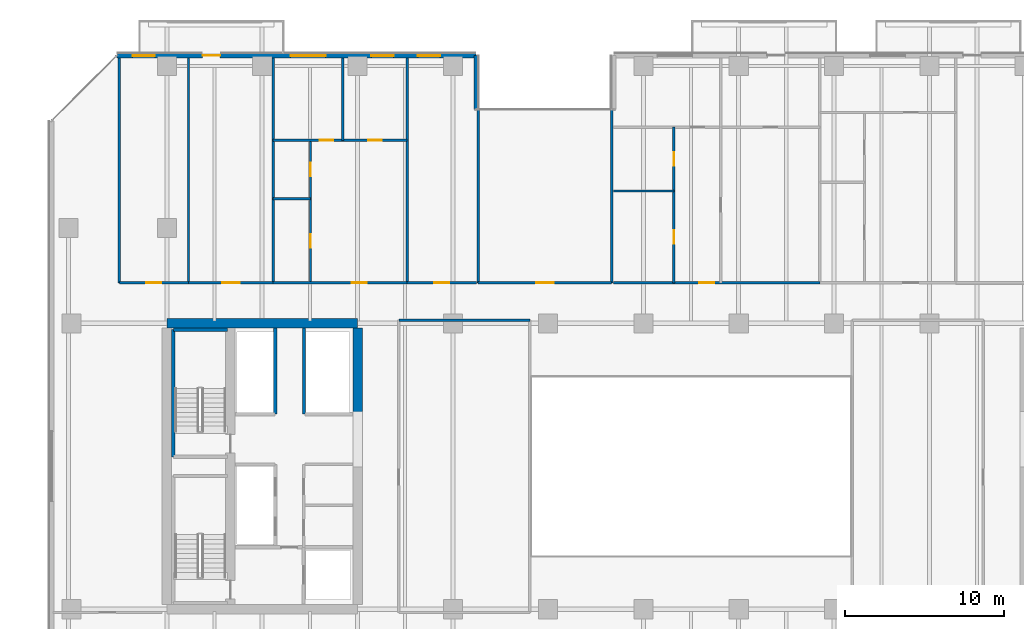
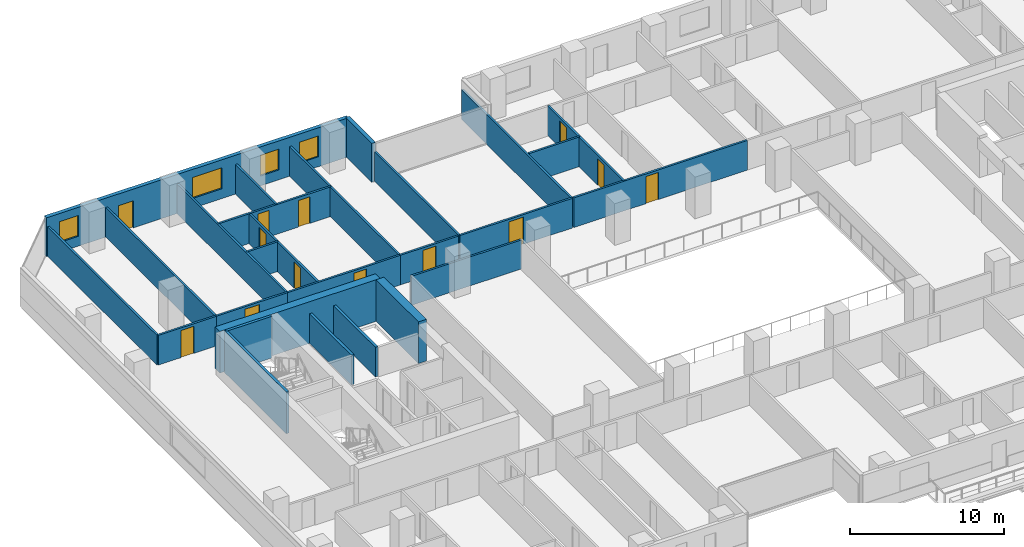
# One storey, part 20 of 33: 27 walls, 13 doors, 4 windows, 17 openings.
"""IFC4 building model written with IfcOpenShell, lengths in metres."""

from ifc_helpers import new_model, si_unit, direction, frame, frame_2d, origin, place, context, subcontext, project, spatial, rectangle, extrude, material, layer, layer_set, type_object, element, fill, save


model = new_model("IFC4")

# Units and contexts
model_context = context("Model", 3, precision=1e-05, world=origin(), true_north=direction((0.0, 1.0)))
body_context = subcontext(model_context, "Body", "Model", "MODEL_VIEW")
ifc_project = project(units=[si_unit("LENGTHUNIT", "METRE"), si_unit("AREAUNIT", "SQUARE_METRE"), si_unit("VOLUMEUNIT", "CUBIC_METRE"), si_unit("PLANEANGLEUNIT", "RADIAN"), si_unit("MASSUNIT", "GRAM", prefix="KILO")], contexts=[model_context])

# Site, building, storey
site_placement = place(None, origin())
site = spatial("IfcSite", under=ifc_project, at=site_placement, CompositionType="ELEMENT")
building_placement = place(site_placement, origin())
building = spatial("IfcBuilding", under=site, at=building_placement, Name="Tanjung Sevakor Pilgrim Tower", CompositionType="ELEMENT")
storey_placement = place(building_placement, frame((0.0, 0.0, 32.340087890625)))
storey = spatial("IfcBuildingStorey", under=building, at=storey_placement, Name="L08", CompositionType="ELEMENT", Elevation=32.340087890625)

# Walls
ifc_material_1 = material(Name="Concrete C60/75", Category="concrete")
ifc_layer_1 = layer(ifc_material_1, 0.60009765625)
ifc_layer_set_1 = layer_set([ifc_layer_1], Name="WALL-CW-600")
wall_type_1 = type_object("IfcWallType", Name="WALL-CW-600", PredefinedType="SHEAR", material=ifc_layer_set_1)
wall_1_placement = place(storey_placement, frame((36.0, 42.60009765625, 0.0), z_axis=(0.0, 0.0, 1.0), x_axis=(-1.0, 0.0, 0.0)))
element("IfcWall", 1, at=wall_1_placement, inside=storey, type_object=wall_type_1, Name="L08 W Core North Shear Wall", PredefinedType="SHEAR", context=body_context, shape_type="SweptSolid", body=[
    extrude(rectangle(XDim=12.0, YDim=0.60009765625, at=frame_2d((6.0, 0.0))), origin(), (0.0, 0.0, 1.0), 3.2998046875),
])
wall_2_placement = place(storey_placement, frame((36.0, 36.800048828125, 0.0), z_axis=(0.0, 0.0, 1.0), x_axis=(0.0, 1.0, 0.0)))
element("IfcWall", 2, at=wall_2_placement, inside=storey, type_object=wall_type_1, Name="L08 W Core Inner Shear Wall North", PredefinedType="SHEAR", context=body_context, shape_type="SweptSolid", body=[
    extrude(rectangle(XDim=5.5, YDim=0.60009765625, at=frame_2d((2.75, 0.0))), origin(), (0.0, 0.0, 1.0), 3.2998046875),
])
ifc_material_2 = material(Name="Concrete C40/50", Category="concrete")
ifc_layer_2 = layer(ifc_material_2, 0.14990234375)
ifc_layer_set_2 = layer_set([ifc_layer_2], Name="WT-COMP-150")
wall_type_2 = type_object("IfcWallType", Name="WT-COMP-150", PredefinedType="SOLIDWALL", material=ifc_layer_set_2)
wall_3_placement = place(storey_placement, frame((38.60009765625, 42.800048828125, 0.0), z_axis=(0.0, 0.0, 1.0), x_axis=(1.0, 0.0, 0.0)))
element("IfcWall", 3, at=wall_3_placement, inside=storey, type_object=wall_type_2, Name="L08 Partition IW-L08-024", PredefinedType="SOLIDWALL", context=body_context, shape_type="SweptSolid", body=[
    extrude(rectangle(XDim=8.25, YDim=0.14990234375, at=frame_2d((4.125, 0.0))), origin(), (0.0, 0.0, 1.0), 2.295166015625),
])

# Wall, opening, door
wall_4_placement = place(storey_placement, frame((43.60009765625, 45.14990234375, 0.0), z_axis=(0.0, 0.0, 1.0), x_axis=(1.0, 0.0, 0.0)))
wall_4 = element("IfcWall", 4, at=wall_4_placement, inside=storey, type_object=wall_type_2, Name="L08 Partition IW-L08-041", PredefinedType="SOLIDWALL", context=body_context, shape_type="SweptSolid", body=[
    extrude(rectangle(XDim=8.39990234375, YDim=0.14990234375, at=frame_2d((4.199951171875, 0.0))), origin(), (0.0, 0.0, 1.0), 2.35009765625),
])
opening_1_placement = place(wall_4_placement, frame((3.64990234375, 0.0, 0.0)))
opening_1 = element("IfcOpeningElement", 5, at=opening_1_placement, cuts=wall_4, Name="Opening ID-RM2", PredefinedType="OPENING", context=body_context, shape_type="SweptSolid", body=[
    extrude(rectangle(XDim=1.10009765625, YDim=2.14990234375, at=frame_2d((0.550048828125, 1.074951171875))), frame((0.0, 0.0849609375, 0.0), z_axis=(0.0, -1.0, 0.0), x_axis=(1.0, 0.0, 0.0)), (0.0, 0.0, 1.0), 0.169921875),
])
ifc_material_3 = material(Name="Hardwood Timber", Category="wood")
door_type_1 = type_object("IfcDoorType", Name="DT-INT-1100", OperationType="NOTDEFINED", PredefinedType="DOOR", material=ifc_material_3)
door_1_placement = place(opening_1_placement, origin())
door_1 = element("IfcDoor", 6, at=door_1_placement, inside=storey, type_object=door_type_1, Name="L08 North Cleft Reading Room Door", OperationType="SINGLE_SWING_LEFT", OverallHeight=2.14990234375, OverallWidth=1.10009765625, PredefinedType="DOOR", context=body_context, shape_type="SweptSolid", body=[
    extrude(rectangle(XDim=1.10009765625, YDim=2.14990234375, at=frame_2d((0.550048828125, 1.074951171875))), frame((0.0, 0.02490234375, 0.0), z_axis=(0.0, -1.0, 0.0), x_axis=(1.0, 0.0, 0.0)), (0.0, 0.0, 1.0), 0.050048828125),
])
fill(opening_1, door_1)

# Walls
for number, where, z_axis, x_axis, name in (
    (7, (43.60009765625, 45.14990234375, 0.0), (0.0, 0.0, 1.0), (0.0, 1.0, 0.0), "L08 Partition IW-L08-042"),
    (8, (52.0, 45.14990234375, 0.0), (0.0, 0.0, 1.0), (0.0, 1.0, 0.0), "L08 Partition IW-L08-043"),
    (9, (21.0, 45.14990234375, 0.0), (0.0, 0.0, 1.0), (0.0, 1.0, 0.0), "L08 Partition IW-L08-079"),
    (10, (25.35888671875, 45.14990234375, 0.0), (0.0, 0.0, 1.0), (0.0, 1.0, 0.0), "L08 Partition IW-L08-080"),
):
    element("IfcWall", number, at=place(storey_placement, frame(where, z_axis=z_axis, x_axis=x_axis)), inside=storey, type_object=wall_type_2, Name=name, PredefinedType="SOLIDWALL", context=body_context, shape_type="SweptSolid", body=[
        extrude(rectangle(XDim=14.170166015625, YDim=0.14990234375, at=frame_2d((7.0849609375, 0.0))), origin(), (0.0, 0.0, 1.0), 2.35009765625),
    ])

# Wall, opening, door
wall_5_placement = place(storey_placement, frame((21.0, 45.14990234375, 0.0), z_axis=(0.0, 0.0, 1.0), x_axis=(1.0, 0.0, 0.0)))
wall_5 = element("IfcWall", 11, at=wall_5_placement, inside=storey, type_object=wall_type_2, Name="L08 Partition IW-L08-081", PredefinedType="SOLIDWALL", context=body_context, shape_type="SweptSolid", body=[
    extrude(rectangle(XDim=4.35888671875, YDim=0.14990234375, at=frame_2d((2.179443359375, 0.0))), origin(), (0.0, 0.0, 1.0), 2.35009765625),
])
opening_2_placement = place(wall_5_placement, frame((1.704345703125, 0.0, 0.0)))
opening_2 = element("IfcOpeningElement", 12, at=opening_2_placement, cuts=wall_5, Name="Opening ID-FD2", PredefinedType="OPENING", context=body_context, shape_type="SweptSolid", body=[
    extrude(rectangle(XDim=0.949951171875, YDim=2.14990234375, at=frame_2d((0.47509765625, 1.074951171875))), frame((0.0, 0.0849609375, 0.0), z_axis=(0.0, -1.0, 0.0), x_axis=(1.0, 0.0, 0.0)), (0.0, 0.0, 1.0), 0.169921875),
])
ifc_material_4 = material(Name="Fire-Rated Timber", Category="wood")
door_type_2 = type_object("IfcDoorType", Name="DT-FIRE-950", OperationType="NOTDEFINED", PredefinedType="DOOR", material=ifc_material_4)
door_2_placement = place(opening_2_placement, origin())
door_2 = element("IfcDoor", 13, at=door_2_placement, inside=storey, type_object=door_type_2, Name="Study Room Entrance", OperationType="SINGLE_SWING_LEFT", OverallHeight=2.14990234375, OverallWidth=0.949951171875, PredefinedType="DOOR", context=body_context, shape_type="SweptSolid", body=[
    extrude(rectangle(XDim=0.949951171875, YDim=2.14990234375, at=frame_2d((0.47509765625, 1.074951171875))), frame((0.0, 0.02490234375, 0.0), z_axis=(0.0, -1.0, 0.0), x_axis=(1.0, 0.0, 0.0)), (0.0, 0.0, 1.0), 0.050048828125),
])
fill(opening_2, door_2)

# Wall
wall_6_placement = place(storey_placement, frame((30.686279296875, 45.14990234375, 0.0), z_axis=(0.0, 0.0, 1.0), x_axis=(0.0, 1.0, 0.0)))
element("IfcWall", 14, at=wall_6_placement, inside=storey, type_object=wall_type_2, Name="L08 Partition IW-L08-082", PredefinedType="SOLIDWALL", context=body_context, shape_type="SweptSolid", body=[
    extrude(rectangle(XDim=14.170166015625, YDim=0.14990234375, at=frame_2d((7.0849609375, 0.0))), origin(), (0.0, 0.0, 1.0), 2.35009765625),
])

# Wall, opening, door
wall_7_placement = place(storey_placement, frame((25.35888671875, 45.14990234375, 0.0), z_axis=(0.0, 0.0, 1.0), x_axis=(1.0, 0.0, 0.0)))
wall_7 = element("IfcWall", 15, at=wall_7_placement, inside=storey, type_object=wall_type_2, Name="L08 Partition IW-L08-083", PredefinedType="SOLIDWALL", context=body_context, shape_type="SweptSolid", body=[
    extrude(rectangle(XDim=5.327392578125, YDim=0.14990234375, at=frame_2d((2.66357421875, 0.0))), origin(), (0.0, 0.0, 1.0), 2.35009765625),
])
opening_3_placement = place(wall_7_placement, frame((2.11376953125, 0.0, 0.0)))
opening_3 = element("IfcOpeningElement", 16, at=opening_3_placement, cuts=wall_7, Name="Opening ID-FD0", PredefinedType="OPENING", context=body_context, shape_type="SweptSolid", body=[
    extrude(rectangle(XDim=1.10009765625, YDim=2.14990234375, at=frame_2d((0.550048828125, 1.074951171875))), frame((0.0, 0.0849609375, 0.0), z_axis=(0.0, -1.0, 0.0), x_axis=(1.0, 0.0, 0.0)), (0.0, 0.0, 1.0), 0.169921875),
])
ifc_material_5 = material(Name="Fire-Rated Steel S355J2", Category="steel")
door_type_3 = type_object("IfcDoorType", Name="DT-FIRE-1100", OperationType="NOTDEFINED", PredefinedType="DOOR", material=ifc_material_5)
door_3_placement = place(opening_3_placement, origin())
door_3 = element("IfcDoor", 17, at=door_3_placement, inside=storey, type_object=door_type_3, Name="Seminar Room Door", OperationType="SINGLE_SWING_RIGHT", OverallHeight=2.14990234375, OverallWidth=1.10009765625, PredefinedType="DOOR", context=body_context, shape_type="SweptSolid", body=[
    extrude(rectangle(XDim=1.10009765625, YDim=2.14990234375, at=frame_2d((0.550048828125, 1.074951171875))), frame((0.0, 0.02490234375, 0.0), z_axis=(0.0, -1.0, 0.0), x_axis=(1.0, 0.0, 0.0)), (0.0, 0.0, 1.0), 0.050048828125),
])
fill(opening_3, door_3)

# Wall
wall_8_placement = place(storey_placement, frame((39.12109375, 45.14990234375, 0.0), z_axis=(0.0, 0.0, 1.0), x_axis=(0.0, 1.0, 0.0)))
element("IfcWall", 18, at=wall_8_placement, inside=storey, type_object=wall_type_2, Name="L08 Partition IW-L08-084", PredefinedType="SOLIDWALL", context=body_context, shape_type="SweptSolid", body=[
    extrude(rectangle(XDim=14.170166015625, YDim=0.14990234375, at=frame_2d((7.0849609375, 0.0))), origin(), (0.0, 0.0, 1.0), 2.35009765625),
])

# Wall, opening, door
wall_9_placement = place(storey_placement, frame((30.686279296875, 45.14990234375, 0.0), z_axis=(0.0, 0.0, 1.0), x_axis=(1.0, 0.0, 0.0)))
wall_9 = element("IfcWall", 19, at=wall_9_placement, inside=storey, type_object=wall_type_2, Name="L08 Partition IW-L08-089", PredefinedType="SOLIDWALL", context=body_context, shape_type="SweptSolid", body=[
    extrude(rectangle(XDim=8.434814453125, YDim=0.14990234375, at=frame_2d((4.21728515625, 0.0))), origin(), (0.0, 0.0, 1.0), 2.35009765625),
])
opening_4_placement = place(wall_9_placement, frame((4.95751953125, 0.0, 0.0)))
opening_4 = element("IfcOpeningElement", 20, at=opening_4_placement, cuts=wall_9, Name="Opening ID-FD2", PredefinedType="OPENING", context=body_context, shape_type="SweptSolid", body=[
    extrude(rectangle(XDim=0.949951171875, YDim=2.14990234375, at=frame_2d((0.47509765625, 1.074951171875))), frame((0.0, 0.0849609375, 0.0), z_axis=(0.0, -1.0, 0.0), x_axis=(1.0, 0.0, 0.0)), (0.0, 0.0, 1.0), 0.169921875),
])
door_4_placement = place(opening_4_placement, origin())
door_4 = element("IfcDoor", 21, at=door_4_placement, inside=storey, type_object=door_type_2, Name="Suite Entrance", OperationType="SINGLE_SWING_LEFT", OverallHeight=2.14990234375, OverallWidth=0.949951171875, PredefinedType="DOOR", context=body_context, shape_type="SweptSolid", body=[
    extrude(rectangle(XDim=0.949951171875, YDim=2.14990234375, at=frame_2d((0.47509765625, 1.074951171875))), frame((0.0, 0.02490234375, 0.0), z_axis=(0.0, -1.0, 0.0), x_axis=(1.0, 0.0, 0.0)), (0.0, 0.0, 1.0), 0.050048828125),
])
fill(opening_4, door_4)

wall_10_placement = place(storey_placement, frame((39.12109375, 45.14990234375, 0.0), z_axis=(0.0, 0.0, 1.0), x_axis=(1.0, 0.0, 0.0)))
wall_10 = element("IfcWall", 22, at=wall_10_placement, inside=storey, type_object=wall_type_2, Name="L08 Partition IW-L08-090", PredefinedType="SOLIDWALL", context=body_context, shape_type="SweptSolid", body=[
    extrude(rectangle(XDim=4.35888671875, YDim=0.14990234375, at=frame_2d((2.179443359375, 0.0))), origin(), (0.0, 0.0, 1.0), 2.35009765625),
])
opening_5_placement = place(wall_10_placement, frame((1.704345703125, 0.0, 0.0)))
opening_5 = element("IfcOpeningElement", 23, at=opening_5_placement, cuts=wall_10, Name="Opening ID-FD2", PredefinedType="OPENING", context=body_context, shape_type="SweptSolid", body=[
    extrude(rectangle(XDim=0.949951171875, YDim=2.14990234375, at=frame_2d((0.47509765625, 1.074951171875))), frame((0.0, 0.0849609375, 0.0), z_axis=(0.0, -1.0, 0.0), x_axis=(1.0, 0.0, 0.0)), (0.0, 0.0, 1.0), 0.169921875),
])
door_5_placement = place(opening_5_placement, origin())
door_5 = element("IfcDoor", 24, at=door_5_placement, inside=storey, type_object=door_type_2, Name="Study Room Entrance", OperationType="SINGLE_SWING_RIGHT", OverallHeight=2.14990234375, OverallWidth=0.949951171875, PredefinedType="DOOR", context=body_context, shape_type="SweptSolid", body=[
    extrude(rectangle(XDim=0.949951171875, YDim=2.14990234375, at=frame_2d((0.47509765625, 1.074951171875))), frame((0.0, 0.02490234375, 0.0), z_axis=(0.0, -1.0, 0.0), x_axis=(1.0, 0.0, 0.0)), (0.0, 0.0, 1.0), 0.050048828125),
])
fill(opening_5, door_5)

wall_11_placement = place(storey_placement, frame((52.1201171875, 45.14990234375, 0.0), z_axis=(0.0, 0.0, 1.0), x_axis=(1.0, 0.0, 0.0)))
wall_11 = element("IfcWall", 25, at=wall_11_placement, inside=storey, type_object=wall_type_2, Name="L08 Partition IW-L08-098", PredefinedType="SOLIDWALL", context=body_context, shape_type="SweptSolid", body=[
    extrude(rectangle(XDim=12.98876953125, YDim=0.14990234375, at=frame_2d((6.494384765625, 0.0))), origin(), (0.0, 0.0, 1.0), 2.35009765625),
])
opening_6_placement = place(wall_11_placement, frame((5.38720703125, 0.0, 0.0)))
opening_6 = element("IfcOpeningElement", 26, at=opening_6_placement, cuts=wall_11, Name="Opening ID-FD2", PredefinedType="OPENING", context=body_context, shape_type="SweptSolid", body=[
    extrude(rectangle(XDim=0.949951171875, YDim=2.14990234375, at=frame_2d((0.47509765625, 1.074951171875))), frame((0.0, 0.0849609375, 0.0), z_axis=(0.0, -1.0, 0.0), x_axis=(1.0, 0.0, 0.0)), (0.0, 0.0, 1.0), 0.169921875),
])
door_6_placement = place(opening_6_placement, origin())
door_6 = element("IfcDoor", 27, at=door_6_placement, inside=storey, type_object=door_type_2, Name="Suite Entrance", OperationType="SINGLE_SWING_RIGHT", OverallHeight=2.14990234375, OverallWidth=0.949951171875, PredefinedType="DOOR", context=body_context, shape_type="SweptSolid", body=[
    extrude(rectangle(XDim=0.949951171875, YDim=2.14990234375, at=frame_2d((0.47509765625, 1.074951171875))), frame((0.0, 0.02490234375, 0.0), z_axis=(0.0, -1.0, 0.0), x_axis=(1.0, 0.0, 0.0)), (0.0, 0.0, 1.0), 0.050048828125),
])
fill(opening_6, door_6)

# Wall
ifc_material_6 = material(Name="Precast concrete C45/55", Category="concrete")
ifc_layer_3 = layer(ifc_material_6, 0.280029296875)
ifc_layer_set_3 = layer_set([ifc_layer_3], Name="WT-EW-STN2")
wall_type_3 = type_object("IfcWallType", Name="WT-EW-STN2", PredefinedType="SOLIDWALL", material=ifc_layer_set_3)
wall_12_placement = place(storey_placement, frame((43.4599609375, 56.06005859375, 0.0), z_axis=(0.0, 0.0, 1.0), x_axis=(0.0, 1.0, 0.0)))
element("IfcWall", 28, at=wall_12_placement, inside=storey, type_object=wall_type_3, Name="L08 MAIN Exterior Wall 12", PredefinedType="SOLIDWALL", context=body_context, shape_type="SweptSolid", body=[
    extrude(rectangle(XDim=3.39990234375, YDim=0.280029296875, at=frame_2d((1.699951171875, 0.0))), origin(), (0.0, 0.0, 1.0), 3.080078125),
])

# Wall, openings, door, windows
wall_13_placement = place(storey_placement, frame((43.4599609375, 59.4599609375, 0.0), z_axis=(0.0, 0.0, 1.0), x_axis=(-1.0, 0.0, 0.0)))
wall_13 = element("IfcWall", 29, at=wall_13_placement, inside=storey, type_object=wall_type_3, Name="L08 MAIN Exterior Wall 13", PredefinedType="SOLIDWALL", context=body_context, shape_type="SweptSolid", body=[
    extrude(rectangle(XDim=22.60205078125, YDim=0.280029296875, at=frame_2d((11.301025390625, 0.0))), origin(), (0.0, 0.0, 1.0), 3.080078125),
])
opening_7_placement = place(wall_13_placement, frame((16.110107421875, 0.0, 0.0)))
opening_7 = element("IfcOpeningElement", 30, at=opening_7_placement, cuts=wall_13, Name="Opening ED-BAL-1100", PredefinedType="OPENING", context=body_context, shape_type="SweptSolid", body=[
    extrude(rectangle(XDim=1.10009765625, YDim=2.14990234375, at=frame_2d((0.550048828125, 1.074951171875))), frame((0.0, 0.14990234375, 0.0), z_axis=(0.0, -1.0, 0.0), x_axis=(1.0, 0.0, 0.0)), (0.0, 0.0, 1.0), 0.300048828125),
])
opening_8_placement = place(wall_13_placement, frame((20.220703125, 0.0, 0.780029296875)))
opening_8 = element("IfcOpeningElement", 31, at=opening_8_placement, cuts=wall_13, Name="Opening WN-END", PredefinedType="OPENING", context=body_context, shape_type="SweptSolid", body=[
    extrude(rectangle(XDim=1.39990234375, YDim=1.64990234375, at=frame_2d((0.699951171875, 0.824951171875))), frame((0.0, 0.14990234375, 0.0), z_axis=(0.0, -1.0, 0.0), x_axis=(1.0, 0.0, 0.0)), (0.0, 0.0, 1.0), 0.300048828125),
])
opening_9_placement = place(wall_13_placement, frame((9.470703125, 0.0, 0.780029296875)))
opening_9 = element("IfcOpeningElement", 32, at=opening_9_placement, cuts=wall_13, Name="Opening WN-Z1-1660", PredefinedType="OPENING", context=body_context, shape_type="SweptSolid", body=[
    extrude(rectangle(XDim=2.199951171875, YDim=1.659912109375, at=frame_2d((1.10009765625, 0.830078125))), frame((0.0, 0.14990234375, 0.0), z_axis=(0.0, -1.0, 0.0), x_axis=(1.0, 0.0, 0.0)), (0.0, 0.0, 1.0), 0.300048828125),
])
opening_10_placement = place(wall_13_placement, frame((5.193115234375, 0.0, 0.780029296875)))
opening_10 = element("IfcOpeningElement", 33, at=opening_10_placement, cuts=wall_13, Name="Opening WN-END", PredefinedType="OPENING", context=body_context, shape_type="SweptSolid", body=[
    extrude(rectangle(XDim=1.39990234375, YDim=1.64990234375, at=frame_2d((0.699951171875, 0.824951171875))), frame((0.0, 0.14990234375, 0.0), z_axis=(0.0, -1.0, 0.0), x_axis=(1.0, 0.0, 0.0)), (0.0, 0.0, 1.0), 0.300048828125),
])
opening_11_placement = place(wall_13_placement, frame((2.259521484375, 0.0, 0.780029296875)))
opening_11 = element("IfcOpeningElement", 34, at=opening_11_placement, cuts=wall_13, Name="Opening WN-END", PredefinedType="OPENING", context=body_context, shape_type="SweptSolid", body=[
    extrude(rectangle(XDim=1.39990234375, YDim=1.64990234375, at=frame_2d((0.699951171875, 0.824951171875))), frame((0.0, 0.14990234375, 0.0), z_axis=(0.0, -1.0, 0.0), x_axis=(1.0, 0.0, 0.0)), (0.0, 0.0, 1.0), 0.300048828125),
])
ifc_material_7 = material(Name="Anodised Aluminium and Laminated Glass", Category="aluminium")
door_type_4 = type_object("IfcDoorType", Name="DTYP-ED-BAL-1100", OperationType="NOTDEFINED", PredefinedType="DOOR", material=ifc_material_7)
door_7_placement = place(opening_7_placement, frame((1.10009765625, 0.0, 0.0), z_axis=(0.0, 0.0, 1.0), x_axis=(-1.0, 0.0, 0.0)))
door_7 = element("IfcDoor", 35, at=door_7_placement, inside=storey, type_object=door_type_4, Name="L08 Balcony Door MAIN-N1", OperationType="SINGLE_SWING_RIGHT", OverallHeight=2.14990234375, OverallWidth=1.10009765625, PredefinedType="DOOR", context=body_context, shape_type="SweptSolid", body=[
    extrude(rectangle(XDim=1.10009765625, YDim=2.14990234375, at=frame_2d((0.550048828125, 1.074951171875))), frame((0.0, 0.02490234375, 0.0), z_axis=(0.0, -1.0, 0.0), x_axis=(1.0, 0.0, 0.0)), (0.0, 0.0, 1.0), 0.050048828125),
])
fill(opening_7, door_7)
ifc_material_8 = material(Name="Thermally Broken Aluminium and Low-E Glass", Category="aluminium")
window_type_1 = type_object("IfcWindowType", Name="WTYP-WN-END", PartitioningType="SINGLE_PANEL", PredefinedType="WINDOW", material=ifc_material_8)
window_1_placement = place(opening_8_placement, origin())
window_1 = element("IfcWindow", 36, at=window_1_placement, inside=storey, type_object=window_type_1, Name="L08 Facade Window 01", OverallHeight=1.64990234375, OverallWidth=1.39990234375, PartitioningType="SINGLE_PANEL", PredefinedType="WINDOW", context=body_context, shape_type="SweptSolid", body=[
    extrude(rectangle(XDim=1.39990234375, YDim=1.64990234375, at=frame_2d((0.699951171875, 0.824951171875))), frame((0.0, 0.030029296875, 0.0), z_axis=(0.0, -1.0, 0.0), x_axis=(1.0, 0.0, 0.0)), (0.0, 0.0, 1.0), 0.06005859375),
])
fill(opening_8, window_1)
window_2_placement = place(opening_10_placement, origin())
window_2 = element("IfcWindow", 37, at=window_2_placement, inside=storey, type_object=window_type_1, Name="L08 Facade Window 03", OverallHeight=1.64990234375, OverallWidth=1.39990234375, PartitioningType="SINGLE_PANEL", PredefinedType="WINDOW", context=body_context, shape_type="SweptSolid", body=[
    extrude(rectangle(XDim=1.39990234375, YDim=1.64990234375, at=frame_2d((0.699951171875, 0.824951171875))), frame((0.0, 0.030029296875, 0.0), z_axis=(0.0, -1.0, 0.0), x_axis=(1.0, 0.0, 0.0)), (0.0, 0.0, 1.0), 0.06005859375),
])
fill(opening_10, window_2)
window_3_placement = place(opening_11_placement, origin())
window_3 = element("IfcWindow", 38, at=window_3_placement, inside=storey, type_object=window_type_1, Name="L08 Facade Window 04", OverallHeight=1.64990234375, OverallWidth=1.39990234375, PartitioningType="SINGLE_PANEL", PredefinedType="WINDOW", context=body_context, shape_type="SweptSolid", body=[
    extrude(rectangle(XDim=1.39990234375, YDim=1.64990234375, at=frame_2d((0.699951171875, 0.824951171875))), frame((0.0, 0.030029296875, 0.0), z_axis=(0.0, -1.0, 0.0), x_axis=(1.0, 0.0, 0.0)), (0.0, 0.0, 1.0), 0.06005859375),
])
fill(opening_11, window_3)
ifc_material_9 = material(Name="Thermally Broken Aluminium and Low-E Glass", Category="aluminium")
window_type_2 = type_object("IfcWindowType", Name="WTYP-WN-Z1-1660", PartitioningType="DOUBLE_PANEL_VERTICAL", PredefinedType="WINDOW", material=ifc_material_9)
window_4_placement = place(opening_9_placement, origin())
window_4 = element("IfcWindow", 39, at=window_4_placement, inside=storey, type_object=window_type_2, Name="L08 Facade Window 02", OverallHeight=1.659912109375, OverallWidth=2.199951171875, PartitioningType="SINGLE_PANEL", PredefinedType="WINDOW", context=body_context, shape_type="SweptSolid", body=[
    extrude(rectangle(XDim=2.199951171875, YDim=1.659912109375, at=frame_2d((1.10009765625, 0.830078125))), frame((0.0, 0.030029296875, 0.0), z_axis=(0.0, -1.0, 0.0), x_axis=(1.0, 0.0, 0.0)), (0.0, 0.0, 1.0), 0.06005859375),
])
fill(opening_9, window_4)

# Walls
ifc_material_10 = material(Name="Concrete C40/50", Category="concrete")
ifc_layer_4 = layer(ifc_material_10, 0.199951171875)
ifc_layer_set_4 = layer_set([ifc_layer_4], Name="WT-FIRE-200")
wall_type_4 = type_object("IfcWallType", Name="WT-FIRE-200", PredefinedType="SOLIDWALL", material=ifc_layer_set_4)
wall_14_placement = place(storey_placement, frame((27.800048828125, 42.199951171875, 0.0), z_axis=(0.0, 0.0, 1.0), x_axis=(-1.0, 0.0, 0.0)))
element("IfcWall", 40, at=wall_14_placement, inside=storey, type_object=wall_type_4, Name="L08 TS-W2 Shaft Wall 2", PredefinedType="SOLIDWALL", context=body_context, shape_type="SweptSolid", body=[
    extrude(rectangle(XDim=3.400146484375, YDim=0.199951171875, at=frame_2d((1.7001953125, 0.0))), origin(), (0.0, 0.0, 1.0), 3.2998046875),
])
wall_15_placement = place(storey_placement, frame((24.39990234375, 42.199951171875, 0.0), z_axis=(0.0, 0.0, 1.0), x_axis=(0.0, -1.0, 0.0)))
element("IfcWall", 41, at=wall_15_placement, inside=storey, type_object=wall_type_4, Name="L08 TS-W2 Shaft Wall 3", PredefinedType="SOLIDWALL", context=body_context, shape_type="SweptSolid", body=[
    extrude(rectangle(XDim=8.0, YDim=0.199951171875, at=frame_2d((4.0, 0.0))), origin(), (0.0, 0.0, 1.0), 3.2998046875),
])
ifc_material_11 = material(Name="Concrete C40/50", Category="concrete")
ifc_layer_5 = layer(ifc_material_11, 0.199951171875)
ifc_layer_set_5 = layer_set([ifc_layer_5], Name="WT-FPRT-200")
wall_type_5 = type_object("IfcWallType", Name="WT-FPRT-200", PredefinedType="SOLIDWALL", material=ifc_layer_set_5)
for number, where, z_axis, x_axis, name in (
    (42, (30.820068359375, 36.8798828125, 0.0), (0.0, 0.0, 1.0), (0.0, 1.0, 0.0), "L08 Partition IW-L08-009"),
    (43, (32.6201171875, 36.8798828125, 0.0), (0.0, 0.0, 1.0), (0.0, 1.0, 0.0), "L08 Partition IW-L08-011"),
):
    element("IfcWall", number, at=place(storey_placement, frame(where, z_axis=z_axis, x_axis=x_axis)), inside=storey, type_object=wall_type_5, Name=name, PredefinedType="SOLIDWALL", context=body_context, shape_type="SweptSolid", body=[
        extrude(rectangle(XDim=5.420166015625, YDim=0.199951171875, at=frame_2d((2.7099609375, 0.0))), origin(), (0.0, 0.0, 1.0), 2.35009765625),
    ])
ifc_material_12 = material(Name="Gypsum Board Partition", Category="gypsum board")
ifc_layer_6 = layer(ifc_material_12, 0.14990234375)
ifc_layer_set_6 = layer_set([ifc_layer_6], Name="WT-PART-150")
wall_type_6 = type_object("IfcWallType", Name="WT-PART-150", PredefinedType="PARTITIONING", material=ifc_layer_set_6)
wall_16_placement = place(storey_placement, frame((30.686279296875, 50.4423828125, 0.0), z_axis=(0.0, 0.0, 1.0), x_axis=(1.0, 0.0, 0.0)))
element("IfcWall", 44, at=wall_16_placement, inside=storey, type_object=wall_type_6, Name="L08 Partition IW-L08-085", PredefinedType="PARTITIONING", context=body_context, shape_type="SweptSolid", body=[
    extrude(rectangle(XDim=2.349853515625, YDim=0.14990234375, at=frame_2d((1.1748046875, 0.0))), origin(), (0.0, 0.0, 1.0), 2.35009765625),
])

# Wall, openings, doors
wall_17_placement = place(storey_placement, frame((33.0361328125, 45.14990234375, 0.0), z_axis=(0.0, 0.0, 1.0), x_axis=(0.0, 1.0, 0.0)))
wall_17 = element("IfcWall", 45, at=wall_17_placement, inside=storey, type_object=wall_type_6, Name="L08 Partition IW-L08-086", PredefinedType="PARTITIONING", context=body_context, shape_type="SweptSolid", body=[
    extrude(rectangle(XDim=8.97021484375, YDim=0.14990234375, at=frame_2d((4.485107421875, 0.0))), origin(), (0.0, 0.0, 1.0), 2.35009765625),
])
opening_12_placement = place(wall_17_placement, frame((2.22119140625, 0.0, 0.0)))
opening_12 = element("IfcOpeningElement", 46, at=opening_12_placement, cuts=wall_17, Name="Opening ID-WC1", PredefinedType="OPENING", context=body_context, shape_type="SweptSolid", body=[
    extrude(rectangle(XDim=0.85009765625, YDim=2.10009765625, at=frame_2d((0.425048828125, 1.050048828125))), frame((0.0, 0.0849609375, 0.0), z_axis=(0.0, -1.0, 0.0), x_axis=(1.0, 0.0, 0.0)), (0.0, 0.0, 1.0), 0.169921875),
])
opening_13_placement = place(wall_17_placement, frame((6.706298828125, 0.0, 0.0)))
opening_13 = element("IfcOpeningElement", 47, at=opening_13_placement, cuts=wall_17, Name="Opening ID-WC1", PredefinedType="OPENING", context=body_context, shape_type="SweptSolid", body=[
    extrude(rectangle(XDim=0.85009765625, YDim=2.10009765625, at=frame_2d((0.425048828125, 1.050048828125))), frame((0.0, 0.0849609375, 0.0), z_axis=(0.0, -1.0, 0.0), x_axis=(1.0, 0.0, 0.0)), (0.0, 0.0, 1.0), 0.169921875),
])
ifc_material_13 = material(Name="Moisture-Resistant Timber", Category="wood")
door_type_5 = type_object("IfcDoorType", Name="DT-INT-850", OperationType="NOTDEFINED", PredefinedType="DOOR", material=ifc_material_13)
door_8_placement = place(opening_12_placement, origin())
door_8 = element("IfcDoor", 48, at=door_8_placement, inside=storey, type_object=door_type_5, Name="Suite Kitchenette Door", OperationType="SINGLE_SWING_LEFT", OverallHeight=2.10009765625, OverallWidth=0.85009765625, PredefinedType="DOOR", context=body_context, shape_type="SweptSolid", body=[
    extrude(rectangle(XDim=0.85009765625, YDim=2.10009765625, at=frame_2d((0.425048828125, 1.050048828125))), frame((0.0, 0.02490234375, 0.0), z_axis=(0.0, -1.0, 0.0), x_axis=(1.0, 0.0, 0.0)), (0.0, 0.0, 1.0), 0.050048828125),
])
fill(opening_12, door_8)
door_9_placement = place(opening_13_placement, origin())
door_9 = element("IfcDoor", 49, at=door_9_placement, inside=storey, type_object=door_type_5, Name="Suite Bathroom Door", OperationType="SINGLE_SWING_RIGHT", OverallHeight=2.10009765625, OverallWidth=0.85009765625, PredefinedType="DOOR", context=body_context, shape_type="SweptSolid", body=[
    extrude(rectangle(XDim=0.85009765625, YDim=2.10009765625, at=frame_2d((0.425048828125, 1.050048828125))), frame((0.0, 0.02490234375, 0.0), z_axis=(0.0, -1.0, 0.0), x_axis=(1.0, 0.0, 0.0)), (0.0, 0.0, 1.0), 0.050048828125),
])
fill(opening_13, door_9)

# Wall
wall_18_placement = place(storey_placement, frame((35.072509765625, 54.1201171875, 0.0), z_axis=(0.0, 0.0, 1.0), x_axis=(0.0, 1.0, 0.0)))
element("IfcWall", 50, at=wall_18_placement, inside=storey, type_object=wall_type_6, Name="L08 Partition IW-L08-087", PredefinedType="PARTITIONING", context=body_context, shape_type="SweptSolid", body=[
    extrude(rectangle(XDim=5.199951171875, YDim=0.14990234375, at=frame_2d((2.60009765625, 0.0))), origin(), (0.0, 0.0, 1.0), 2.35009765625),
])

# Wall, openings, doors
wall_19_placement = place(storey_placement, frame((30.686279296875, 54.1201171875, 0.0), z_axis=(0.0, 0.0, 1.0), x_axis=(1.0, 0.0, 0.0)))
wall_19 = element("IfcWall", 51, at=wall_19_placement, inside=storey, type_object=wall_type_6, Name="L08 Partition IW-L08-088", PredefinedType="PARTITIONING", context=body_context, shape_type="SweptSolid", body=[
    extrude(rectangle(XDim=8.434814453125, YDim=0.14990234375, at=frame_2d((4.21728515625, 0.0))), origin(), (0.0, 0.0, 1.0), 2.35009765625),
])
opening_14_placement = place(wall_19_placement, frame((2.943115234375, 0.0, 0.0)))
opening_14 = element("IfcOpeningElement", 52, at=opening_14_placement, cuts=wall_19, Name="Opening ID-WC1", PredefinedType="OPENING", context=body_context, shape_type="SweptSolid", body=[
    extrude(rectangle(XDim=0.85009765625, YDim=2.10009765625, at=frame_2d((0.425048828125, 1.050048828125))), frame((0.0, 0.0849609375, 0.0), z_axis=(0.0, -1.0, 0.0), x_axis=(1.0, 0.0, 0.0)), (0.0, 0.0, 1.0), 0.169921875),
])
opening_15_placement = place(wall_19_placement, frame((5.985595703125, 0.0, 0.0)))
opening_15 = element("IfcOpeningElement", 53, at=opening_15_placement, cuts=wall_19, Name="Opening ID-WC1", PredefinedType="OPENING", context=body_context, shape_type="SweptSolid", body=[
    extrude(rectangle(XDim=0.85009765625, YDim=2.10009765625, at=frame_2d((0.425048828125, 1.050048828125))), frame((0.0, 0.0849609375, 0.0), z_axis=(0.0, -1.0, 0.0), x_axis=(1.0, 0.0, 0.0)), (0.0, 0.0, 1.0), 0.169921875),
])
door_10_placement = place(opening_14_placement, origin())
door_10 = element("IfcDoor", 54, at=door_10_placement, inside=storey, type_object=door_type_5, Name="Suite Bedroom 1 Door", OperationType="SINGLE_SWING_LEFT", OverallHeight=2.10009765625, OverallWidth=0.85009765625, PredefinedType="DOOR", context=body_context, shape_type="SweptSolid", body=[
    extrude(rectangle(XDim=0.85009765625, YDim=2.10009765625, at=frame_2d((0.425048828125, 1.050048828125))), frame((0.0, 0.02490234375, 0.0), z_axis=(0.0, -1.0, 0.0), x_axis=(1.0, 0.0, 0.0)), (0.0, 0.0, 1.0), 0.050048828125),
])
fill(opening_14, door_10)
door_11_placement = place(opening_15_placement, origin())
door_11 = element("IfcDoor", 55, at=door_11_placement, inside=storey, type_object=door_type_5, Name="Suite Bedroom 2 Door", OperationType="SINGLE_SWING_RIGHT", OverallHeight=2.10009765625, OverallWidth=0.85009765625, PredefinedType="DOOR", context=body_context, shape_type="SweptSolid", body=[
    extrude(rectangle(XDim=0.85009765625, YDim=2.10009765625, at=frame_2d((0.425048828125, 1.050048828125))), frame((0.0, 0.02490234375, 0.0), z_axis=(0.0, -1.0, 0.0), x_axis=(1.0, 0.0, 0.0)), (0.0, 0.0, 1.0), 0.050048828125),
])
fill(opening_15, door_11)

# Wall
wall_20_placement = place(storey_placement, frame((52.1201171875, 50.933349609375, 0.0), z_axis=(0.0, 0.0, 1.0), x_axis=(1.0, 0.0, 0.0)))
element("IfcWall", 56, at=wall_20_placement, inside=storey, type_object=wall_type_6, Name="L08 Partition IW-L08-094", PredefinedType="PARTITIONING", context=body_context, shape_type="SweptSolid", body=[
    extrude(rectangle(XDim=3.7998046875, YDim=0.14990234375, at=frame_2d((1.89990234375, 0.0))), origin(), (0.0, 0.0, 1.0), 2.35009765625),
])

# Wall, openings, doors
wall_21_placement = place(storey_placement, frame((55.919921875, 45.14990234375, 0.0), z_axis=(0.0, 0.0, 1.0), x_axis=(0.0, 1.0, 0.0)))
wall_21 = element("IfcWall", 57, at=wall_21_placement, inside=storey, type_object=wall_type_6, Name="L08 Partition IW-L08-095", PredefinedType="PARTITIONING", context=body_context, shape_type="SweptSolid", body=[
    extrude(rectangle(XDim=9.802490234375, YDim=0.14990234375, at=frame_2d((4.9013671875, 0.0))), origin(), (0.0, 0.0, 1.0), 2.35009765625),
])
opening_16_placement = place(wall_21_placement, frame((2.466796875, 0.0, 0.0)))
opening_16 = element("IfcOpeningElement", 58, at=opening_16_placement, cuts=wall_21, Name="Opening ID-WC1", PredefinedType="OPENING", context=body_context, shape_type="SweptSolid", body=[
    extrude(rectangle(XDim=0.85009765625, YDim=2.10009765625, at=frame_2d((0.425048828125, 1.050048828125))), frame((0.0, 0.0849609375, 0.0), z_axis=(0.0, -1.0, 0.0), x_axis=(1.0, 0.0, 0.0)), (0.0, 0.0, 1.0), 0.169921875),
])
opening_17_placement = place(wall_21_placement, frame((7.367919921875, 0.0, 0.0)))
opening_17 = element("IfcOpeningElement", 59, at=opening_17_placement, cuts=wall_21, Name="Opening ID-WC1", PredefinedType="OPENING", context=body_context, shape_type="SweptSolid", body=[
    extrude(rectangle(XDim=0.85009765625, YDim=2.10009765625, at=frame_2d((0.425048828125, 1.050048828125))), frame((0.0, 0.0849609375, 0.0), z_axis=(0.0, -1.0, 0.0), x_axis=(1.0, 0.0, 0.0)), (0.0, 0.0, 1.0), 0.169921875),
])
door_12_placement = place(opening_16_placement, origin())
door_12 = element("IfcDoor", 60, at=door_12_placement, inside=storey, type_object=door_type_5, Name="Suite Kitchenette Door", OperationType="SINGLE_SWING_RIGHT", OverallHeight=2.10009765625, OverallWidth=0.85009765625, PredefinedType="DOOR", context=body_context, shape_type="SweptSolid", body=[
    extrude(rectangle(XDim=0.85009765625, YDim=2.10009765625, at=frame_2d((0.425048828125, 1.050048828125))), frame((0.0, 0.02490234375, 0.0), z_axis=(0.0, -1.0, 0.0), x_axis=(1.0, 0.0, 0.0)), (0.0, 0.0, 1.0), 0.050048828125),
])
fill(opening_16, door_12)
door_13_placement = place(opening_17_placement, origin())
door_13 = element("IfcDoor", 61, at=door_13_placement, inside=storey, type_object=door_type_5, Name="Suite Bathroom Door", OperationType="SINGLE_SWING_LEFT", OverallHeight=2.10009765625, OverallWidth=0.85009765625, PredefinedType="DOOR", context=body_context, shape_type="SweptSolid", body=[
    extrude(rectangle(XDim=0.85009765625, YDim=2.10009765625, at=frame_2d((0.425048828125, 1.050048828125))), frame((0.0, 0.02490234375, 0.0), z_axis=(0.0, -1.0, 0.0), x_axis=(1.0, 0.0, 0.0)), (0.0, 0.0, 1.0), 0.050048828125),
])
fill(opening_17, door_13)

save(model, "model.ifc")
